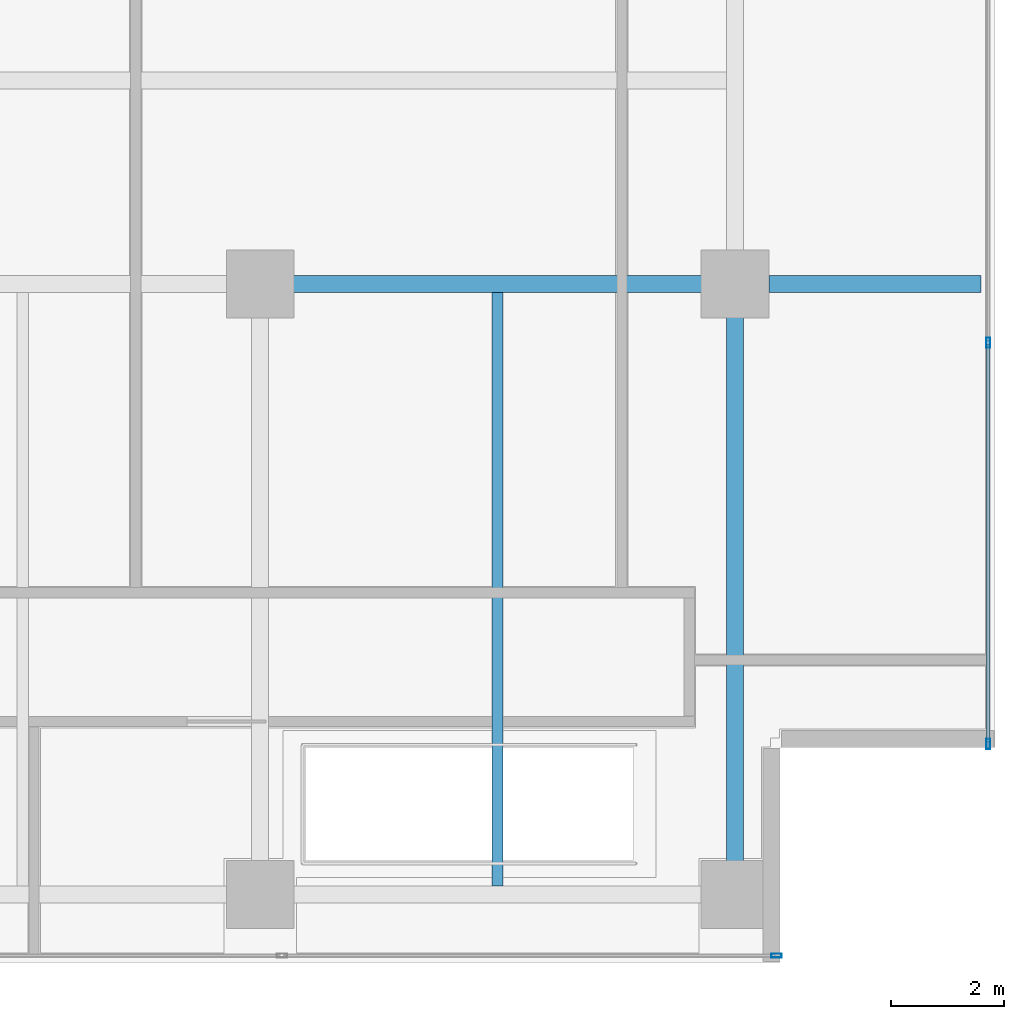
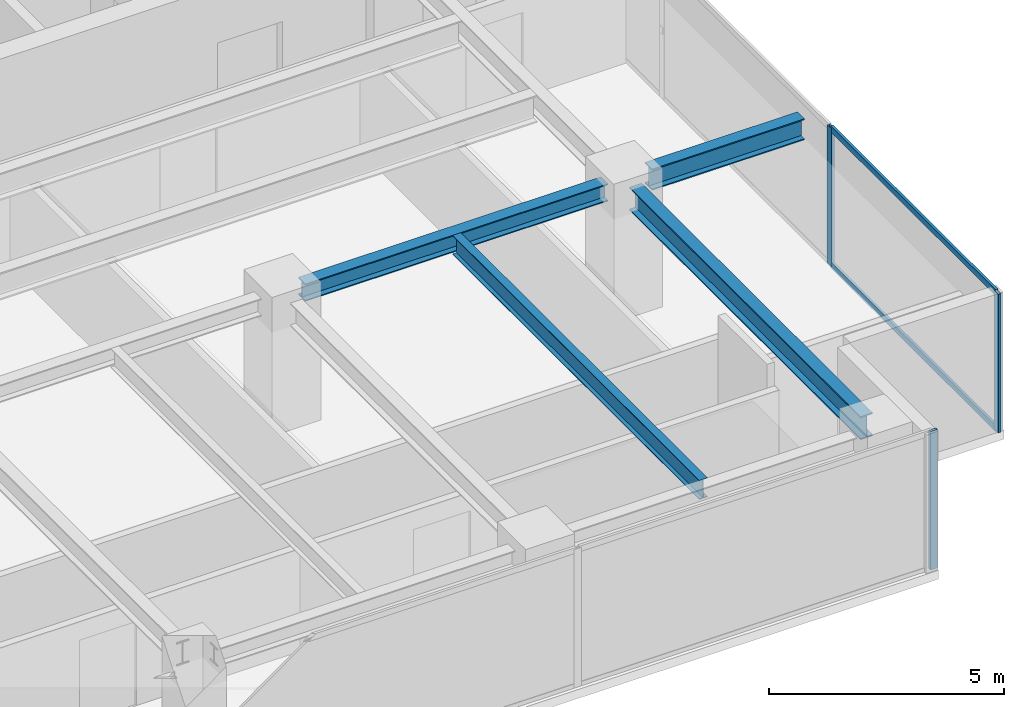
# One storey, part 8 of 21: 5 members, 4 beams, 2 elements without a shape of their own.
"""IFC4 building model written with IfcOpenShell, lengths in metres."""

from ifc_helpers import new_model, si_unit, direction, frame, origin, origin_2d, place, context, subcontext, project, spatial, hollow_rectangle, i_section, extrude, source, transform, mapped, material, layer, layer_set, material_profile, profile_set, type_object, element, aggregate, save


model = new_model("IFC4")

# Units and contexts
model_context = context("Model", 3, precision=1e-05, world=origin(), true_north=direction((0.0, 1.0)))
body_context = subcontext(model_context, "Body", "Model", "MODEL_VIEW")
ifc_project = project(units=[si_unit("LENGTHUNIT", "METRE"), si_unit("AREAUNIT", "SQUARE_METRE"), si_unit("VOLUMEUNIT", "CUBIC_METRE"), si_unit("PLANEANGLEUNIT", "RADIAN"), si_unit("MASSUNIT", "GRAM", prefix="KILO")], contexts=[model_context])

# Site, building, storey
site_placement = place(None, origin())
site = spatial("IfcSite", under=ifc_project, at=site_placement, CompositionType="ELEMENT")
building_placement = place(site_placement, origin())
building = spatial("IfcBuilding", under=site, at=building_placement, Name="Sumidabori Civic Tower", CompositionType="ELEMENT")
storey_placement = place(building_placement, frame((0.0, 0.0, 290.0)))
storey = spatial("IfcBuildingStorey", under=building, at=storey_placement, Name="L76", CompositionType="ELEMENT", Elevation=290.0)

# Beams
ifc_material_1 = material(Name="Steel SN490", Category="steel")
ifc_material_profile_1 = material_profile(ifc_material_1, i_section(OverallWidth=0.300048828125, OverallDepth=0.60009765625, WebThickness=0.015380859375, FlangeThickness=0.030029296875, at=origin_2d()), Name="HE 600 B")
ifc_profile_set_1 = profile_set([ifc_material_profile_1], Name="Steel SN490")
beam_type_1 = type_object("IfcBeamType", Name="BM-GIRD-600", PredefinedType="BEAM", material=ifc_profile_set_1)
shared_shape_1 = source(origin(), body_context, "Body", "SweptSolid", [
    extrude(i_section(OverallWidth=0.300048828125, OverallDepth=0.60009765625, WebThickness=0.015380859375, FlangeThickness=0.030029296875, at=origin_2d()), origin(), (0.0, 0.0, 1.0), 9.840087890625),
])
beam_1_placement = place(storey_placement, frame((16.800048828125, -10.320068359375, 3.0), z_axis=(0.0, 1.0, 0.0), x_axis=(-1.0, 0.0, 0.0)))
element("IfcBeam", 1, at=beam_1_placement, inside=storey, type_object=beam_type_1, Name="Primary Girder L76 GY-15", PredefinedType="BEAM", context=body_context, shape_type="MappedRepresentation", body=[
    mapped(shared_shape_1, transform((0.0, 0.0, 0.0), x_axis=(1.0, 0.0, 0.0), y_axis=(0.0, 1.0, 0.0), z_axis=(0.0, 0.0, 1.0), scale=1.0)),
])
ifc_material_profile_2 = material_profile(ifc_material_1, i_section(OverallWidth=0.300048828125, OverallDepth=0.449951171875, WebThickness=0.013916015625, FlangeThickness=0.02587890625, at=origin_2d()), Name="HE 450 B")
ifc_profile_set_2 = profile_set([ifc_material_profile_2], Name="Steel SN490")
beam_type_2 = type_object("IfcBeamType", Name="BM-GIRD-450", PredefinedType="BEAM", material=ifc_profile_set_2)
shared_shape_2 = source(origin(), body_context, "Body", "SweptSolid", [
    extrude(i_section(OverallWidth=0.300048828125, OverallDepth=0.449951171875, WebThickness=0.013916015625, FlangeThickness=0.02587890625, at=origin_2d()), origin(), (0.0, 0.0, 1.0), 7.440185546875),
])
beam_2_placement = place(storey_placement, frame((8.8798828125, 0.0, 3.074951171875), z_axis=(1.0, 0.0, 0.0), x_axis=(0.0, 1.0, 0.0)))
element("IfcBeam", 2, at=beam_2_placement, inside=storey, type_object=beam_type_2, Name="Primary Girder L76 GX-08", PredefinedType="BEAM", context=body_context, shape_type="MappedRepresentation", body=[
    mapped(shared_shape_2, transform((0.0, 0.0, 0.0), x_axis=(1.0, 0.0, 0.0), y_axis=(0.0, 1.0, 0.0), z_axis=(0.0, 0.0, 1.0), scale=1.0)),
])
ifc_material_profile_3 = material_profile(ifc_material_1, i_section(OverallWidth=0.199951171875, OverallDepth=0.5, WebThickness=0.01025390625, FlangeThickness=0.01611328125, at=origin_2d()), Name="IPE 500")
ifc_profile_set_3 = profile_set([ifc_material_profile_3], Name="Steel SN490")
beam_type_3 = type_object("IfcBeamType", Name="BM-JST-500", PredefinedType="JOIST", material=ifc_profile_set_3)
shared_shape_3 = source(origin(), body_context, "Body", "SweptSolid", [
    extrude(i_section(OverallWidth=0.199951171875, OverallDepth=0.5, WebThickness=0.01025390625, FlangeThickness=0.01611328125, at=origin_2d()), origin(), (0.0, 0.0, 1.0), 10.5),
])
beam_3_placement = place(storey_placement, frame((12.60009765625, -10.64990234375, 3.050048828125), z_axis=(0.0, 1.0, 0.0), x_axis=(-1.0, 0.0, 0.0)))
element("IfcBeam", 3, at=beam_3_placement, inside=storey, type_object=beam_type_3, Name="Upper Lens N-S Floor Joist L76 JSTV-27", PredefinedType="JOIST", context=body_context, shape_type="MappedRepresentation", body=[
    mapped(shared_shape_3, transform((0.0, 0.0, 0.0), x_axis=(1.0, 0.0, 0.0), y_axis=(0.0, 1.0, 0.0), z_axis=(0.0, 0.0, 1.0), scale=1.0)),
])
ifc_material_profile_4 = material_profile(ifc_material_1, i_section(OverallWidth=0.300048828125, OverallDepth=0.550048828125, WebThickness=0.014892578125, FlangeThickness=0.029052734375, at=origin_2d()), Name="HE 550 B")
ifc_profile_set_4 = profile_set([ifc_material_profile_4], Name="Steel SN490")
beam_type_4 = type_object("IfcBeamType", Name="BM-Z4-EDGE", PredefinedType="SPANDREL", material=ifc_profile_set_4)
shared_shape_4 = source(origin(), body_context, "Body", "SweptSolid", [
    extrude(i_section(OverallWidth=0.300048828125, OverallDepth=0.550048828125, WebThickness=0.014892578125, FlangeThickness=0.029052734375, at=origin_2d()), origin(), (0.0, 0.0, 1.0), 3.75),
])
beam_4_placement = place(storey_placement, frame((17.39990234375, 0.0, 3.02490234375), z_axis=(1.0, 0.0, 0.0), x_axis=(0.0, 1.0, 0.0)))
element("IfcBeam", 4, at=beam_4_placement, inside=storey, type_object=beam_type_4, Name="Perimeter Overhang Beam L76 E-18", PredefinedType="SPANDREL", context=body_context, shape_type="MappedRepresentation", body=[
    mapped(shared_shape_4, transform((0.0, 0.0, 0.0), x_axis=(1.0, 0.0, 0.0), y_axis=(0.0, 1.0, 0.0), z_axis=(0.0, 0.0, 1.0), scale=1.0)),
])

# Curtain wall, members
ifc_material_2 = material(Name="Anodised Bronze Aluminium AW-6063-T6", Category="aluminium")
ifc_layer = layer(ifc_material_2, 0.179931640625, Name="Anodised Bronze Aluminium AW-6063-T6")
ifc_layer_set = layer_set([ifc_layer], Name="Anodised Bronze Aluminium AW-6063-T6")
curtain_wall_type = type_object("IfcCurtainWallType", Name="CW-SYS-6", PredefinedType="NOTDEFINED", material=ifc_layer_set)
curtain_wall_1_placement = place(storey_placement, origin())
curtain_wall_1 = element("IfcCurtainWall", 5, at=curtain_wall_1_placement, inside=storey, type_object=curtain_wall_type, Name="Curtain Wall CW:L76:R04", PredefinedType="NOTDEFINED")
ifc_material_profile_5 = material_profile(ifc_material_2, hollow_rectangle(XDim=0.06494140625, YDim=0.14990234375, WallThickness=0.0048828125, at=origin_2d()), Name="ALU TRANSOM 150x65")
ifc_profile_set_5 = profile_set([ifc_material_profile_5], Name="Anodised Bronze Aluminium AW-6063-T6")
member_type_1 = type_object("IfcMemberType", Name="CW-TRN-150", PredefinedType="USERDEFINED", material=ifc_profile_set_5)
shared_shape_5 = source(origin(), body_context, "Body", "SweptSolid", [
    extrude(hollow_rectangle(XDim=0.06494140625, YDim=0.14990234375, WallThickness=0.0048828125, at=origin_2d()), origin(), (0.0, 0.0, 1.0), 7.030029296875),
])
member_1_placement = place(storey_placement, frame((21.280029296875, -8.10009765625, 0.032470703125), z_axis=(0.0, 1.0, 0.0), x_axis=(-1.0, 0.0, 0.0)))
member_1 = element("IfcMember", 6, at=member_1_placement, type_object=member_type_1, Name="CW-6 transom 1.1", ObjectType="TRANSOM", PredefinedType="USERDEFINED", context=body_context, shape_type="MappedRepresentation", body=[
    mapped(shared_shape_5, transform((0.0, 0.0, 0.0), x_axis=(1.0, 0.0, 0.0), y_axis=(0.0, 1.0, 0.0), z_axis=(0.0, 0.0, 1.0), scale=1.0)),
])
member_2_placement = place(storey_placement, frame((21.280029296875, -8.10009765625, 3.5673828125), z_axis=(0.0, 1.0, 0.0), x_axis=(-1.0, 0.0, 0.0)))
member_2 = element("IfcMember", 7, at=member_2_placement, type_object=member_type_1, Name="CW-6 transom 1.2", ObjectType="TRANSOM", PredefinedType="USERDEFINED", context=body_context, shape_type="MappedRepresentation", body=[
    mapped(shared_shape_5, transform((0.0, 0.0, 0.0), x_axis=(1.0, 0.0, 0.0), y_axis=(0.0, 1.0, 0.0), z_axis=(0.0, 0.0, 1.0), scale=1.0)),
])

# Curtain wall, member
curtain_wall_2_placement = place(storey_placement, origin())
curtain_wall_2 = element("IfcCurtainWall", 8, at=curtain_wall_2_placement, inside=storey, type_object=curtain_wall_type, Name="Curtain Wall CW:L76:R01", PredefinedType="NOTDEFINED")
ifc_material_profile_6 = material_profile(ifc_material_2, hollow_rectangle(XDim=0.070068359375, YDim=0.179931640625, WallThickness=0.006103515625, at=origin_2d()), Name="ALU MULLION 180x70")
ifc_profile_set_6 = profile_set([ifc_material_profile_6], Name="Anodised Bronze Aluminium AW-6063-T6")
member_type_2 = type_object("IfcMemberType", Name="CW-MUL-180", PredefinedType="MULLION", material=ifc_profile_set_6)
shared_shape_6 = source(origin(), body_context, "Body", "SweptSolid", [
    extrude(hollow_rectangle(XDim=0.070068359375, YDim=0.179931640625, WallThickness=0.006103515625, at=origin_2d()), origin(), (0.0, 0.0, 1.0), 3.60009765625),
])
member_3_placement = place(storey_placement, frame((17.534912109375, -11.8798828125, 0.0), z_axis=(0.0, 0.0, 1.0), x_axis=(0.0, 1.0, 0.0)))
member_3 = element("IfcMember", 9, at=member_3_placement, type_object=member_type_2, Name="CW-6 mullion 5", PredefinedType="MULLION", context=body_context, shape_type="MappedRepresentation", body=[
    mapped(shared_shape_6, transform((0.0, 0.0, 0.0), x_axis=(1.0, 0.0, 0.0), y_axis=(0.0, 1.0, 0.0), z_axis=(0.0, 0.0, 1.0), scale=1.0)),
])
aggregate(curtain_wall_2, [member_3])

# Member
member_4_placement = place(storey_placement, frame((21.280029296875, -8.135009765625, 0.0), z_axis=(0.0, 0.0, 1.0), x_axis=(-1.0, 0.0, 0.0)))
member_4 = element("IfcMember", 10, at=member_4_placement, type_object=member_type_2, Name="CW-6 mullion 1", PredefinedType="MULLION", context=body_context, shape_type="MappedRepresentation", body=[
    mapped(shared_shape_6, transform((0.0, 0.0, 0.0), x_axis=(1.0, 0.0, 0.0), y_axis=(0.0, 1.0, 0.0), z_axis=(0.0, 0.0, 1.0), scale=1.0)),
])

member_5_placement = place(storey_placement, frame((21.280029296875, -1.034912109375, 0.0), z_axis=(0.0, 0.0, 1.0), x_axis=(-1.0, 0.0, 0.0)))
member_5 = element("IfcMember", 11, at=member_5_placement, type_object=member_type_2, Name="CW-6 mullion 2", PredefinedType="MULLION", context=body_context, shape_type="MappedRepresentation", body=[
    mapped(shared_shape_6, transform((0.0, 0.0, 0.0), x_axis=(1.0, 0.0, 0.0), y_axis=(0.0, 1.0, 0.0), z_axis=(0.0, 0.0, 1.0), scale=1.0)),
])

aggregate(curtain_wall_1, [member_4, member_5, member_1, member_2])

save(model, "model.ifc")
